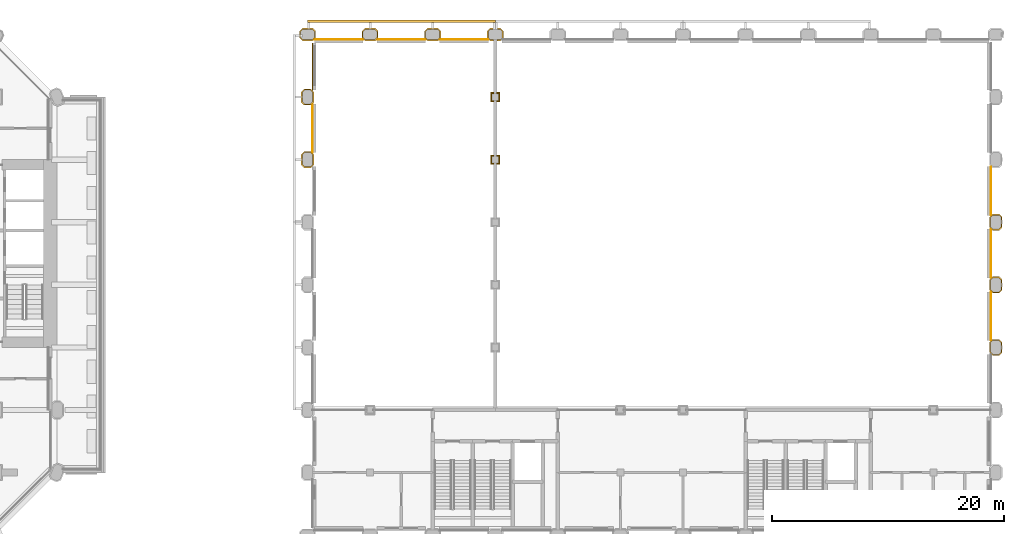
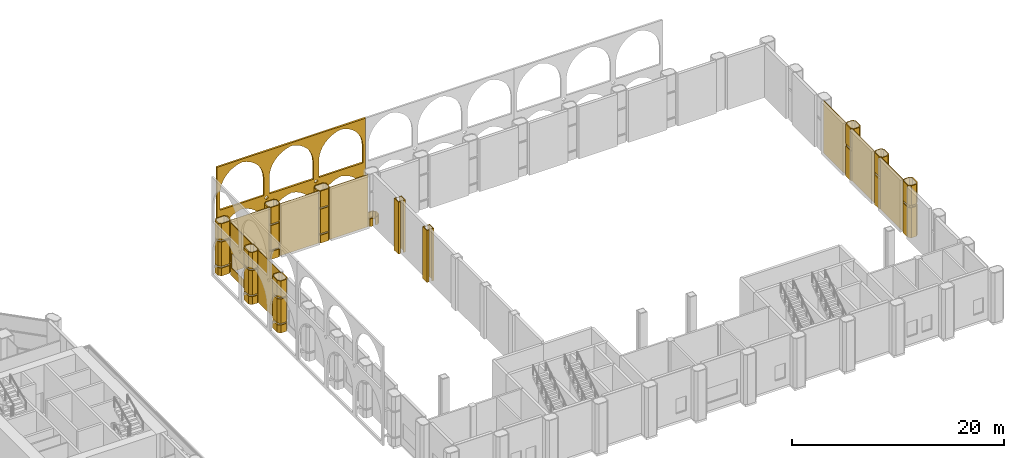
# One storey, part 32 of 34: 35 coverings.
"""IFC4 building model written with IfcOpenShell, lengths in metres."""

import ifcopenshell
import ifcopenshell.guid

model = None  # the IFC model being written
_history = None  # IfcOwnerHistory: only IFC2X3 demands one
_inside = {}  # id of a spatial element -> (the spatial element, [elements in it])
_under = {}  # id of a project, library or spatial element -> (it, [spatial elements below it])
_declared = {}  # id of a project -> (the project, [libraries it declares])
_typed = {}  # id of a type object -> (the type object, [elements of that type])
_made_of = {}  # id of a material, layer set ... -> (it, [elements and type objects made of it])


def new_model(schema):
    """Start an empty IFC model of exactly this schema.

    Asked for "IFC4X3", IfcOpenShell would pick the latest addendum, in which some entities
    have other attributes; the version numbers below select the first issue.
    IFC2X3 requires an IfcOwnerHistory on every rooted entity: one is made here for all.
    """
    global model, _history
    if schema == "IFC4X3":
        model = ifcopenshell.file(schema_version=(4, 3, 0, 0))
    else:
        model = ifcopenshell.file(schema=schema)
    _inside.clear()
    _under.clear()
    _declared.clear()
    _typed.clear()
    _made_of.clear()
    _history = None
    if model.schema == "IFC2X3":
        org = make("IfcOrganization", Name="unknown")
        user = make(
            "IfcPersonAndOrganization",
            ThePerson=make("IfcPerson", FamilyName="unknown"),
            TheOrganization=org,
        )
        app = make(
            "IfcApplication",
            ApplicationDeveloper=org,
            Version="unknown",
            ApplicationFullName="unknown",
            ApplicationIdentifier="unknown",
        )
        _history = make(
            "IfcOwnerHistory",
            OwningUser=user,
            OwningApplication=app,
            ChangeAction="ADDED",
            CreationDate=0,
        )
    return model


def make(cls, **values):
    """One entity of the class cls with the attributes given. An attribute that is None is left unset."""
    return model.create_entity(
        cls, **{name: value for name, value in values.items() if value is not None}
    )


def rooted(cls, **values):
    """An entity with a GlobalId (a new one), such as an element, a storey or a relation."""
    return make(cls, GlobalId=ifcopenshell.guid.new(), OwnerHistory=_history, **values)


def si_unit(unit_type, name, prefix=None):
    """IfcSIUnit, for example si_unit("LENGTHUNIT", "METRE", prefix="MILLI")."""
    return make("IfcSIUnit", UnitType=unit_type, Prefix=prefix, Name=name)


def assignment(units):
    """IfcUnitAssignment: the units of a project."""
    return None if units is None else make("IfcUnitAssignment", Units=units)


def point(xyz):
    """IfcCartesianPoint."""
    return None if xyz is None else make("IfcCartesianPoint", Coordinates=xyz)


def direction(xyz):
    """IfcDirection."""
    return None if xyz is None else make("IfcDirection", DirectionRatios=xyz)


def frame(location, z_axis=None, x_axis=None):
    """IfcAxis2Placement3D, a coordinate frame: its origin and axes. An axis left out is left unset."""
    return make(
        "IfcAxis2Placement3D",
        Location=point(location),
        Axis=direction(z_axis),
        RefDirection=direction(x_axis),
    )


def frame_2d(location, x_axis=None):
    """IfcAxis2Placement2D, a coordinate frame in the plane: its origin and x axis."""
    return make(
        "IfcAxis2Placement2D", Location=point(location), RefDirection=direction(x_axis)
    )


def origin():
    """The frame at (0, 0, 0) with its axes left unset."""
    return frame((0.0, 0.0, 0.0))


def place(relative_to, where):
    """IfcLocalPlacement: puts the frame where relative to a parent placement (None: the world)."""
    return make(
        "IfcLocalPlacement", PlacementRelTo=relative_to, RelativePlacement=where
    )


def context(
    kind, dimensions, precision=None, world=None, true_north=None, identifier=None
):
    """IfcGeometricRepresentationContext, for example the 3D "Model" context."""
    return make(
        "IfcGeometricRepresentationContext",
        ContextIdentifier=identifier,
        ContextType=kind,
        CoordinateSpaceDimension=dimensions,
        Precision=precision,
        WorldCoordinateSystem=world,
        TrueNorth=true_north,
    )


def subcontext(parent, identifier, kind, view, scale=None):
    """IfcGeometricRepresentationSubContext, for example "Body" below "Model"."""
    return make(
        "IfcGeometricRepresentationSubContext",
        ContextIdentifier=identifier,
        ContextType=kind,
        ParentContext=parent,
        TargetScale=scale,
        TargetView=view,
    )


def project(units=None, contexts=None):
    """IfcProject with its units and contexts."""
    return rooted(
        "IfcProject",
        Name="project",
        RepresentationContexts=contexts,
        UnitsInContext=assignment(units),
    )


def spatial(cls, under=None, at=None, **own):
    """A site, building, storey or space (cls), placed at a placement, below another one or the project."""
    s = rooted(cls, ObjectPlacement=at, **own)
    if under is not None:
        _under.setdefault(under.id(), (under, []))[1].append(s)
    return s


def polyline(points):
    """IfcPolyline through the points."""
    return make("IfcPolyline", Points=[point(p) for p in points])


def profile(cls, at=None, kind="AREA", **sizes):
    """A parametric profile (cls). Its sizes go by their IFC names, for example OverallWidth=200.0."""
    return make(cls, ProfileType=kind, Position=at, **sizes)


def rectangle(**sizes):
    """IfcRectangleProfileDef."""
    return profile("IfcRectangleProfileDef", **sizes)


def outline(outer, holes=None, kind="AREA"):
    """IfcArbitraryClosedProfileDef: a profile drawn as a closed curve; with holes, ...WithVoids."""
    if holes is None:
        return make("IfcArbitraryClosedProfileDef", ProfileType=kind, OuterCurve=outer)
    return make(
        "IfcArbitraryProfileDefWithVoids",
        ProfileType=kind,
        OuterCurve=outer,
        InnerCurves=holes,
    )


def extrude(swept, where, along, depth):
    """IfcExtrudedAreaSolid: the profile swept, set in the frame where, extruded along a direction by depth."""
    return make(
        "IfcExtrudedAreaSolid",
        SweptArea=swept,
        Position=where,
        ExtrudedDirection=direction(along),
        Depth=depth,
    )


def shape(context_of_items, identifier, shape_type, items):
    """IfcShapeRepresentation: the items that make up one representation, for example the "Body"."""
    return make(
        "IfcShapeRepresentation",
        ContextOfItems=context_of_items,
        RepresentationIdentifier=identifier,
        RepresentationType=shape_type,
        Items=items,
    )


def material(Name=None, Category=None):
    """IfcMaterial."""
    return make("IfcMaterial", Name=Name, Category=Category)


def layer(
    of_material, thickness, ventilated=None, Name=None, Category=None, Priority=None
):
    """IfcMaterialLayer: one layer of a wall or slab, of a material (None: an air gap)."""
    return make(
        "IfcMaterialLayer",
        Material=of_material,
        LayerThickness=thickness,
        IsVentilated=ventilated,
        Name=Name,
        Category=Category,
        Priority=Priority,
    )


def layer_set(layers, Name=None):
    """IfcMaterialLayerSet."""
    return make("IfcMaterialLayerSet", MaterialLayers=layers, LayerSetName=Name)


def made_of(thing, what):
    """Note that an element or type object is made of a material, layer set ...; save() writes the relation."""
    if what is not None:
        _made_of.setdefault(what.id(), (what, []))[1].append(thing)
    return thing


def type_object(cls, material=None, **own):
    """A type object (cls), such as IfcWallType, which elements share."""
    return made_of(rooted(cls, **own), material)


def element(
    cls,
    number,
    at=None,
    inside=None,
    cuts=None,
    type_object=None,
    material=None,
    context=None,
    identifier="Body",
    shape_type=None,
    held_by="IfcProductDefinitionShape",
    body=None,
    shapes=None,
    **own,
):
    """One element of the class cls, such as IfcWall. Its Tag is "e" and its number.

    at: its placement. inside: the storey or other place that contains it. cuts: it is an
    opening in that element (IfcRelVoidsElement). A single representation is given by context,
    identifier, shape_type and body (its items); several are given by shapes. held_by: the class
    of the entity that holds the representations. save() writes the other relations.
    """
    e = rooted(cls, Tag="e%d" % number, ObjectPlacement=at, **own)
    if body is not None:
        shapes = [shape(context, identifier, shape_type, body)]
    if shapes is not None:
        e.Representation = make(held_by, Representations=shapes)
    if inside is not None:
        _inside.setdefault(inside.id(), (inside, []))[1].append(e)
    if cuts is not None:
        rooted(
            "IfcRelVoidsElement", RelatingBuildingElement=cuts, RelatedOpeningElement=e
        )
    if type_object is not None:
        _typed.setdefault(type_object.id(), (type_object, []))[1].append(e)
    return made_of(e, material)


def aggregate(whole, parts):
    """IfcRelAggregates: a whole, such as a stair, and the parts it consists of."""
    return rooted("IfcRelAggregates", RelatingObject=whole, RelatedObjects=parts)


def save(model, path):
    """Write the relations noted so far, then the file.

    IfcRelAggregates (storeys below a building ...), IfcRelContainedInSpatialStructure (elements
    in a storey), IfcRelDefinesByType, IfcRelAssociatesMaterial and IfcRelDeclares: one each for
    every whole, place, type object, material and project.
    """
    for whole, parts in _under.values():
        aggregate(whole, parts)
    for where, things in _inside.values():
        rooted(
            "IfcRelContainedInSpatialStructure",
            RelatedElements=things,
            RelatingStructure=where,
        )
    for kind, things in _typed.values():
        rooted("IfcRelDefinesByType", RelatedObjects=things, RelatingType=kind)
    for what, things in _made_of.values():
        rooted("IfcRelAssociatesMaterial", RelatedObjects=things, RelatingMaterial=what)
    for by, libraries in _declared.values():
        rooted("IfcRelDeclares", RelatingContext=by, RelatedDefinitions=libraries)
    model.write(path)


model = new_model("IFC4")

# Units and contexts
model_context = context("Model", 3, precision=1e-05, world=origin(), true_north=direction((0.0, 1.0)))
body_context = subcontext(model_context, "Body", "Model", "MODEL_VIEW")
ifc_project = project(units=[si_unit("LENGTHUNIT", "METRE"), si_unit("AREAUNIT", "SQUARE_METRE"), si_unit("VOLUMEUNIT", "CUBIC_METRE"), si_unit("PLANEANGLEUNIT", "RADIAN"), si_unit("MASSUNIT", "GRAM", prefix="KILO")], contexts=[model_context])

# Site, building, storey
site_placement = place(None, origin())
site = spatial("IfcSite", under=ifc_project, at=site_placement, CompositionType="ELEMENT")
building_placement = place(site_placement, origin())
building = spatial("IfcBuilding", under=site, at=building_placement, Name="Tabaq Tower and Sports Hall", CompositionType="ELEMENT")
storey_placement = place(building_placement, frame((0.0, 0.0, 8.39990234375)))
storey = spatial("IfcBuildingStorey", under=building, at=storey_placement, Name="L01", CompositionType="ELEMENT", Elevation=8.39990234375)

# Coverings
ifc_material_1 = material(Name="Precast concrete C60/75", Category="concrete")
ifc_layer_1 = layer(ifc_material_1, 0.10009765625)
ifc_layer_set_1 = layer_set([ifc_layer_1], Name="Column cladding 100")
covering_type_1 = type_object("IfcCoveringType", Name="Column cladding 100", PredefinedType="CLADDING", material=ifc_layer_set_1)
covering_1_placement = place(storey_placement, origin())
element("IfcCovering", 1, at=covering_1_placement, inside=storey, type_object=covering_type_1, Name="Column cladding L01 HC-13G", PredefinedType="CLADDING", context=body_context, shape_type="SweptSolid", body=[
    extrude(outline(polyline([(65.09130859375, 31.7001953125), (64.5087890625, 31.7001953125), (64.250244140625, 31.958740234375), (64.250244140625, 32.84130859375), (64.5087890625, 33.099609375), (65.09130859375, 33.099609375), (65.349609375, 32.84130859375), (65.349609375, 31.958740234375), (65.09130859375, 31.7001953125)]), holes=[polyline([(65.250244140625, 32.800048828125), (65.050048828125, 33.000244140625), (64.5498046875, 33.000244140625), (64.349609375, 32.800048828125), (64.349609375, 31.999755859375), (64.5498046875, 31.7998046875), (65.050048828125, 31.7998046875), (65.250244140625, 31.999755859375), (65.250244140625, 32.800048828125)])]), origin(), (0.0, 0.0, 1.0), 0.900146484375),
])
covering_2_placement = place(storey_placement, frame((0.0, 0.0, 1.10009765625)))
element("IfcCovering", 2, at=covering_2_placement, inside=storey, type_object=covering_type_1, Name="Column cladding L01 HC-13G 2", PredefinedType="CLADDING", context=body_context, shape_type="SweptSolid", body=[
    extrude(outline(polyline([(65.09130859375, 31.7001953125), (64.5087890625, 31.7001953125), (64.250244140625, 31.958740234375), (64.250244140625, 32.84130859375), (64.5087890625, 33.099609375), (65.09130859375, 33.099609375), (65.349609375, 32.84130859375), (65.349609375, 31.958740234375), (65.09130859375, 31.7001953125)]), holes=[polyline([(65.250244140625, 32.800048828125), (65.050048828125, 33.000244140625), (64.5498046875, 33.000244140625), (64.349609375, 32.800048828125), (64.349609375, 31.999755859375), (64.5498046875, 31.7998046875), (65.050048828125, 31.7998046875), (65.250244140625, 31.999755859375), (65.250244140625, 32.800048828125)])]), origin(), (0.0, 0.0, 1.0), 2.800048828125),
])
covering_3_placement = place(storey_placement, frame((0.0, 0.0, 4.10009765625)))
element("IfcCovering", 3, at=covering_3_placement, inside=storey, type_object=covering_type_1, Name="Column cladding L01 HC-13G 3", PredefinedType="CLADDING", context=body_context, shape_type="SweptSolid", body=[
    extrude(outline(polyline([(65.09130859375, 31.7001953125), (64.5087890625, 31.7001953125), (64.250244140625, 31.958740234375), (64.250244140625, 32.84130859375), (64.5087890625, 33.099609375), (65.09130859375, 33.099609375), (65.349609375, 32.84130859375), (65.349609375, 31.958740234375), (65.09130859375, 31.7001953125)]), holes=[polyline([(65.250244140625, 32.800048828125), (65.050048828125, 33.000244140625), (64.5498046875, 33.000244140625), (64.349609375, 32.800048828125), (64.349609375, 31.999755859375), (64.5498046875, 31.7998046875), (65.050048828125, 31.7998046875), (65.250244140625, 31.999755859375), (65.250244140625, 32.800048828125)])]), origin(), (0.0, 0.0, 1.0), 1.89990234375),
])
covering_4_placement = place(storey_placement, origin())
element("IfcCovering", 4, at=covering_4_placement, inside=storey, type_object=covering_type_1, Name="Column cladding L01 HC-13H", PredefinedType="CLADDING", context=body_context, shape_type="SweptSolid", body=[
    extrude(outline(polyline([(65.09130859375, 37.100341796875), (64.5087890625, 37.100341796875), (64.250244140625, 37.358642578125), (64.250244140625, 38.2412109375), (64.5087890625, 38.499755859375), (65.09130859375, 38.499755859375), (65.349609375, 38.2412109375), (65.349609375, 37.358642578125), (65.09130859375, 37.100341796875)]), holes=[polyline([(65.250244140625, 38.2001953125), (65.050048828125, 38.400390625), (64.5498046875, 38.400390625), (64.349609375, 38.2001953125), (64.349609375, 37.39990234375), (64.5498046875, 37.19970703125), (65.050048828125, 37.19970703125), (65.250244140625, 37.39990234375), (65.250244140625, 38.2001953125)])]), origin(), (0.0, 0.0, 1.0), 0.900146484375),
])
covering_5_placement = place(storey_placement, frame((0.0, 0.0, 1.10009765625)))
element("IfcCovering", 5, at=covering_5_placement, inside=storey, type_object=covering_type_1, Name="Column cladding L01 HC-13H 2", PredefinedType="CLADDING", context=body_context, shape_type="SweptSolid", body=[
    extrude(outline(polyline([(65.09130859375, 37.100341796875), (64.5087890625, 37.100341796875), (64.250244140625, 37.358642578125), (64.250244140625, 38.2412109375), (64.5087890625, 38.499755859375), (65.09130859375, 38.499755859375), (65.349609375, 38.2412109375), (65.349609375, 37.358642578125), (65.09130859375, 37.100341796875)]), holes=[polyline([(65.250244140625, 38.2001953125), (65.050048828125, 38.400390625), (64.5498046875, 38.400390625), (64.349609375, 38.2001953125), (64.349609375, 37.39990234375), (64.5498046875, 37.19970703125), (65.050048828125, 37.19970703125), (65.250244140625, 37.39990234375), (65.250244140625, 38.2001953125)])]), origin(), (0.0, 0.0, 1.0), 2.800048828125),
])
covering_6_placement = place(storey_placement, frame((0.0, 0.0, 4.10009765625)))
element("IfcCovering", 6, at=covering_6_placement, inside=storey, type_object=covering_type_1, Name="Column cladding L01 HC-13H 3", PredefinedType="CLADDING", context=body_context, shape_type="SweptSolid", body=[
    extrude(outline(polyline([(65.09130859375, 37.100341796875), (64.5087890625, 37.100341796875), (64.250244140625, 37.358642578125), (64.250244140625, 38.2412109375), (64.5087890625, 38.499755859375), (65.09130859375, 38.499755859375), (65.349609375, 38.2412109375), (65.349609375, 37.358642578125), (65.09130859375, 37.100341796875)]), holes=[polyline([(65.250244140625, 38.2001953125), (65.050048828125, 38.400390625), (64.5498046875, 38.400390625), (64.349609375, 38.2001953125), (64.349609375, 37.39990234375), (64.5498046875, 37.19970703125), (65.050048828125, 37.19970703125), (65.250244140625, 37.39990234375), (65.250244140625, 38.2001953125)])]), origin(), (0.0, 0.0, 1.0), 1.89990234375),
])
covering_7_placement = place(storey_placement, origin())
element("IfcCovering", 7, at=covering_7_placement, inside=storey, type_object=covering_type_1, Name="Column cladding L01 HC-13I", PredefinedType="CLADDING", context=body_context, shape_type="SweptSolid", body=[
    extrude(outline(polyline([(64.100341796875, 42.90869140625), (64.100341796875, 43.4912109375), (64.358642578125, 43.749755859375), (65.2412109375, 43.749755859375), (65.499755859375, 43.4912109375), (65.499755859375, 42.90869140625), (65.2412109375, 42.650390625), (64.358642578125, 42.650390625), (64.100341796875, 42.90869140625)]), holes=[polyline([(65.2001953125, 42.749755859375), (65.400390625, 42.949951171875), (65.400390625, 43.4501953125), (65.2001953125, 43.650390625), (64.39990234375, 43.650390625), (64.19970703125, 43.4501953125), (64.19970703125, 42.949951171875), (64.39990234375, 42.749755859375), (65.2001953125, 42.749755859375)])]), origin(), (0.0, 0.0, 1.0), 0.900146484375),
])
covering_8_placement = place(storey_placement, frame((0.0, 0.0, 1.10009765625)))
element("IfcCovering", 8, at=covering_8_placement, inside=storey, type_object=covering_type_1, Name="Column cladding L01 HC-13I 2", PredefinedType="CLADDING", context=body_context, shape_type="SweptSolid", body=[
    extrude(outline(polyline([(64.100341796875, 42.90869140625), (64.100341796875, 43.4912109375), (64.358642578125, 43.749755859375), (65.2412109375, 43.749755859375), (65.499755859375, 43.4912109375), (65.499755859375, 42.90869140625), (65.2412109375, 42.650390625), (64.358642578125, 42.650390625), (64.100341796875, 42.90869140625)]), holes=[polyline([(65.2001953125, 42.749755859375), (65.400390625, 42.949951171875), (65.400390625, 43.4501953125), (65.2001953125, 43.650390625), (64.39990234375, 43.650390625), (64.19970703125, 43.4501953125), (64.19970703125, 42.949951171875), (64.39990234375, 42.749755859375), (65.2001953125, 42.749755859375)])]), origin(), (0.0, 0.0, 1.0), 2.800048828125),
])
covering_9_placement = place(storey_placement, frame((0.0, 0.0, 4.10009765625)))
element("IfcCovering", 9, at=covering_9_placement, inside=storey, type_object=covering_type_1, Name="Column cladding L01 HC-13I 3", PredefinedType="CLADDING", context=body_context, shape_type="SweptSolid", body=[
    extrude(outline(polyline([(64.100341796875, 42.90869140625), (64.100341796875, 43.4912109375), (64.358642578125, 43.749755859375), (65.2412109375, 43.749755859375), (65.499755859375, 43.4912109375), (65.499755859375, 42.90869140625), (65.2412109375, 42.650390625), (64.358642578125, 42.650390625), (64.100341796875, 42.90869140625)]), holes=[polyline([(65.2001953125, 42.749755859375), (65.400390625, 42.949951171875), (65.400390625, 43.4501953125), (65.2001953125, 43.650390625), (64.39990234375, 43.650390625), (64.19970703125, 43.4501953125), (64.19970703125, 42.949951171875), (64.39990234375, 42.749755859375), (65.2001953125, 42.749755859375)])]), origin(), (0.0, 0.0, 1.0), 1.89990234375),
])
covering_10_placement = place(storey_placement, origin())
element("IfcCovering", 10, at=covering_10_placement, inside=storey, type_object=covering_type_1, Name="Column cladding L01 HC-14I", PredefinedType="CLADDING", context=body_context, shape_type="SweptSolid", body=[
    extrude(outline(polyline([(69.500244140625, 42.90869140625), (69.500244140625, 43.4912109375), (69.7587890625, 43.749755859375), (70.641357421875, 43.749755859375), (70.899658203125, 43.4912109375), (70.899658203125, 42.90869140625), (70.641357421875, 42.650390625), (69.7587890625, 42.650390625), (69.500244140625, 42.90869140625)]), holes=[polyline([(70.60009765625, 42.749755859375), (70.80029296875, 42.949951171875), (70.80029296875, 43.4501953125), (70.60009765625, 43.650390625), (69.7998046875, 43.650390625), (69.599609375, 43.4501953125), (69.599609375, 42.949951171875), (69.7998046875, 42.749755859375), (70.60009765625, 42.749755859375)])]), origin(), (0.0, 0.0, 1.0), 0.900146484375),
])
covering_11_placement = place(storey_placement, frame((0.0, 0.0, 1.10009765625)))
element("IfcCovering", 11, at=covering_11_placement, inside=storey, type_object=covering_type_1, Name="Column cladding L01 HC-14I 2", PredefinedType="CLADDING", context=body_context, shape_type="SweptSolid", body=[
    extrude(outline(polyline([(69.500244140625, 42.90869140625), (69.500244140625, 43.4912109375), (69.7587890625, 43.749755859375), (70.641357421875, 43.749755859375), (70.899658203125, 43.4912109375), (70.899658203125, 42.90869140625), (70.641357421875, 42.650390625), (69.7587890625, 42.650390625), (69.500244140625, 42.90869140625)]), holes=[polyline([(70.60009765625, 42.749755859375), (70.80029296875, 42.949951171875), (70.80029296875, 43.4501953125), (70.60009765625, 43.650390625), (69.7998046875, 43.650390625), (69.599609375, 43.4501953125), (69.599609375, 42.949951171875), (69.7998046875, 42.749755859375), (70.60009765625, 42.749755859375)])]), origin(), (0.0, 0.0, 1.0), 2.800048828125),
])
covering_12_placement = place(storey_placement, frame((0.0, 0.0, 4.10009765625)))
element("IfcCovering", 12, at=covering_12_placement, inside=storey, type_object=covering_type_1, Name="Column cladding L01 HC-14I 3", PredefinedType="CLADDING", context=body_context, shape_type="SweptSolid", body=[
    extrude(outline(polyline([(69.500244140625, 42.90869140625), (69.500244140625, 43.4912109375), (69.7587890625, 43.749755859375), (70.641357421875, 43.749755859375), (70.899658203125, 43.4912109375), (70.899658203125, 42.90869140625), (70.641357421875, 42.650390625), (69.7587890625, 42.650390625), (69.500244140625, 42.90869140625)]), holes=[polyline([(70.60009765625, 42.749755859375), (70.80029296875, 42.949951171875), (70.80029296875, 43.4501953125), (70.60009765625, 43.650390625), (69.7998046875, 43.650390625), (69.599609375, 43.4501953125), (69.599609375, 42.949951171875), (69.7998046875, 42.749755859375), (70.60009765625, 42.749755859375)])]), origin(), (0.0, 0.0, 1.0), 1.89990234375),
])
covering_13_placement = place(storey_placement, origin())
element("IfcCovering", 13, at=covering_13_placement, inside=storey, type_object=covering_type_1, Name="Column cladding L01 HC-15I", PredefinedType="CLADDING", context=body_context, shape_type="SweptSolid", body=[
    extrude(outline(polyline([(74.900390625, 42.90869140625), (74.900390625, 43.4912109375), (75.15869140625, 43.749755859375), (76.041259765625, 43.749755859375), (76.2998046875, 43.4912109375), (76.2998046875, 42.90869140625), (76.041259765625, 42.650390625), (75.15869140625, 42.650390625), (74.900390625, 42.90869140625)]), holes=[polyline([(76.000244140625, 42.749755859375), (76.2001953125, 42.949951171875), (76.2001953125, 43.4501953125), (76.000244140625, 43.650390625), (75.199951171875, 43.650390625), (74.999755859375, 43.4501953125), (74.999755859375, 42.949951171875), (75.199951171875, 42.749755859375), (76.000244140625, 42.749755859375)])]), origin(), (0.0, 0.0, 1.0), 0.900146484375),
])
covering_14_placement = place(storey_placement, frame((0.0, 0.0, 1.10009765625)))
element("IfcCovering", 14, at=covering_14_placement, inside=storey, type_object=covering_type_1, Name="Column cladding L01 HC-15I 2", PredefinedType="CLADDING", context=body_context, shape_type="SweptSolid", body=[
    extrude(outline(polyline([(74.900390625, 42.90869140625), (74.900390625, 43.4912109375), (75.15869140625, 43.749755859375), (76.041259765625, 43.749755859375), (76.2998046875, 43.4912109375), (76.2998046875, 42.90869140625), (76.041259765625, 42.650390625), (75.15869140625, 42.650390625), (74.900390625, 42.90869140625)]), holes=[polyline([(76.000244140625, 42.749755859375), (76.2001953125, 42.949951171875), (76.2001953125, 43.4501953125), (76.000244140625, 43.650390625), (75.199951171875, 43.650390625), (74.999755859375, 43.4501953125), (74.999755859375, 42.949951171875), (75.199951171875, 42.749755859375), (76.000244140625, 42.749755859375)])]), origin(), (0.0, 0.0, 1.0), 2.800048828125),
])
covering_15_placement = place(storey_placement, frame((0.0, 0.0, 4.10009765625)))
element("IfcCovering", 15, at=covering_15_placement, inside=storey, type_object=covering_type_1, Name="Column cladding L01 HC-15I 3", PredefinedType="CLADDING", context=body_context, shape_type="SweptSolid", body=[
    extrude(outline(polyline([(74.900390625, 42.90869140625), (74.900390625, 43.4912109375), (75.15869140625, 43.749755859375), (76.041259765625, 43.749755859375), (76.2998046875, 43.4912109375), (76.2998046875, 42.90869140625), (76.041259765625, 42.650390625), (75.15869140625, 42.650390625), (74.900390625, 42.90869140625)]), holes=[polyline([(76.000244140625, 42.749755859375), (76.2001953125, 42.949951171875), (76.2001953125, 43.4501953125), (76.000244140625, 43.650390625), (75.199951171875, 43.650390625), (74.999755859375, 43.4501953125), (74.999755859375, 42.949951171875), (75.199951171875, 42.749755859375), (76.000244140625, 42.749755859375)])]), origin(), (0.0, 0.0, 1.0), 1.89990234375),
])
covering_16_placement = place(storey_placement, origin())
element("IfcCovering", 16, at=covering_16_placement, inside=storey, type_object=covering_type_1, Name="Column cladding L01 HC-16G", PredefinedType="CLADDING", context=body_context, shape_type="SweptSolid", body=[
    extrude(outline(polyline([(80.849609375, 32.7998046875), (80.849609375, 32.7001953125), (80.69970703125, 32.7001953125), (80.69970703125, 32.099609375), (80.849609375, 32.099609375), (80.849609375, 32.000244140625), (80.600341796875, 32.000244140625), (80.600341796875, 32.7998046875), (80.849609375, 32.7998046875)])), origin(), (0.0, 0.0, 1.0), 6.0),
])
covering_17_placement = place(storey_placement, origin())
element("IfcCovering", 17, at=covering_17_placement, inside=storey, type_object=covering_type_1, Name="Column cladding L01 HC-16G 2", PredefinedType="CLADDING", context=body_context, shape_type="SweptSolid", body=[
    extrude(outline(polyline([(81.399658203125, 32.7998046875), (81.399658203125, 32.000244140625), (81.150390625, 32.000244140625), (81.150390625, 32.099609375), (81.30029296875, 32.099609375), (81.30029296875, 32.7001953125), (81.150390625, 32.7001953125), (81.150390625, 32.7998046875), (81.399658203125, 32.7998046875)])), origin(), (0.0, 0.0, 1.0), 6.0),
])
covering_18_placement = place(storey_placement, origin())
element("IfcCovering", 18, at=covering_18_placement, inside=storey, type_object=covering_type_1, Name="Column cladding L01 HC-16H", PredefinedType="CLADDING", context=body_context, shape_type="SweptSolid", body=[
    extrude(outline(polyline([(80.849609375, 38.19970703125), (80.849609375, 38.100341796875), (80.69970703125, 38.100341796875), (80.69970703125, 37.499755859375), (80.849609375, 37.499755859375), (80.849609375, 37.400390625), (80.600341796875, 37.400390625), (80.600341796875, 38.19970703125), (80.849609375, 38.19970703125)])), origin(), (0.0, 0.0, 1.0), 6.0),
])
covering_19_placement = place(storey_placement, origin())
element("IfcCovering", 19, at=covering_19_placement, inside=storey, type_object=covering_type_1, Name="Column cladding L01 HC-16H 2", PredefinedType="CLADDING", context=body_context, shape_type="SweptSolid", body=[
    extrude(outline(polyline([(81.399658203125, 38.19970703125), (81.399658203125, 37.400390625), (81.150390625, 37.400390625), (81.150390625, 37.499755859375), (81.30029296875, 37.499755859375), (81.30029296875, 38.100341796875), (81.150390625, 38.100341796875), (81.150390625, 38.19970703125), (81.399658203125, 38.19970703125)])), origin(), (0.0, 0.0, 1.0), 6.0),
])
covering_20_placement = place(storey_placement, origin())
element("IfcCovering", 20, at=covering_20_placement, inside=storey, type_object=covering_type_1, Name="Column cladding L01 HC-16I", PredefinedType="CLADDING", context=body_context, shape_type="SweptSolid", body=[
    extrude(outline(polyline([(80.30029296875, 43.4912109375), (80.55859375, 43.749755859375), (81.44140625, 43.749755859375), (81.69970703125, 43.4912109375), (81.69970703125, 42.90869140625), (81.44140625, 42.650390625), (81.150390625, 42.650390625), (81.150390625, 42.749755859375), (81.400146484375, 42.749755859375), (81.600341796875, 42.949951171875), (81.600341796875, 43.4501953125), (81.400146484375, 43.650390625), (80.599853515625, 43.650390625), (80.399658203125, 43.4501953125), (80.399658203125, 42.949951171875), (80.599853515625, 42.749755859375), (80.849609375, 42.749755859375), (80.849609375, 42.650390625), (80.55859375, 42.650390625), (80.30029296875, 42.90869140625), (80.30029296875, 43.4912109375)])), origin(), (0.0, 0.0, 1.0), 0.900146484375),
])
covering_21_placement = place(storey_placement, origin())
element("IfcCovering", 21, at=covering_21_placement, inside=storey, type_object=covering_type_1, Name="Column cladding L01 HC-24D", PredefinedType="CLADDING", context=body_context, shape_type="SweptSolid", body=[
    extrude(outline(polyline([(123.90869140625, 15.500244140625), (123.650390625, 15.7587890625), (123.650390625, 16.641357421875), (123.90869140625, 16.899658203125), (124.4912109375, 16.899658203125), (124.73974609375, 16.6513671875), (124.73974609375, 15.748779296875), (124.4912109375, 15.500244140625), (123.90869140625, 15.500244140625)]), holes=[polyline([(124.4501953125, 16.80029296875), (123.949951171875, 16.80029296875), (123.749755859375, 16.60009765625), (123.749755859375, 15.7998046875), (123.949951171875, 15.599609375), (124.4501953125, 15.599609375), (124.650390625, 15.7998046875), (124.650390625, 16.60009765625), (124.4501953125, 16.80029296875)])]), origin(), (0.0, 0.0, 1.0), 3.4501953125),
])
covering_22_placement = place(storey_placement, frame((0.0, 0.0, 3.75)))
element("IfcCovering", 22, at=covering_22_placement, inside=storey, type_object=covering_type_1, Name="Column cladding L01 HC-24D 2", PredefinedType="CLADDING", context=body_context, shape_type="SweptSolid", body=[
    extrude(outline(polyline([(123.90869140625, 15.500244140625), (123.650390625, 15.7587890625), (123.650390625, 16.641357421875), (123.90869140625, 16.899658203125), (124.4912109375, 16.899658203125), (124.73974609375, 16.6513671875), (124.73974609375, 15.748779296875), (124.4912109375, 15.500244140625), (123.90869140625, 15.500244140625)]), holes=[polyline([(124.4501953125, 16.80029296875), (123.949951171875, 16.80029296875), (123.749755859375, 16.60009765625), (123.749755859375, 15.7998046875), (123.949951171875, 15.599609375), (124.4501953125, 15.599609375), (124.650390625, 15.7998046875), (124.650390625, 16.60009765625), (124.4501953125, 16.80029296875)])]), origin(), (0.0, 0.0, 1.0), 2.25),
])
covering_23_placement = place(storey_placement, origin())
element("IfcCovering", 23, at=covering_23_placement, inside=storey, type_object=covering_type_1, Name="Column cladding L01 HC-24E", PredefinedType="CLADDING", context=body_context, shape_type="SweptSolid", body=[
    extrude(outline(polyline([(123.90869140625, 20.900390625), (123.650390625, 21.15869140625), (123.650390625, 22.041259765625), (123.90869140625, 22.2998046875), (124.4912109375, 22.2998046875), (124.73974609375, 22.05126953125), (124.73974609375, 21.61962890625), (124.749755859375, 21.61962890625), (124.749755859375, 21.580322265625), (124.73974609375, 21.580322265625), (124.73974609375, 21.148681640625), (124.4912109375, 20.900390625), (123.90869140625, 20.900390625)]), holes=[polyline([(124.4501953125, 22.2001953125), (123.949951171875, 22.2001953125), (123.749755859375, 22.000244140625), (123.749755859375, 21.199951171875), (123.949951171875, 20.999755859375), (124.4501953125, 20.999755859375), (124.650390625, 21.199951171875), (124.650390625, 22.000244140625), (124.4501953125, 22.2001953125)])]), origin(), (0.0, 0.0, 1.0), 3.4501953125),
])
covering_24_placement = place(storey_placement, frame((0.0, 0.0, 3.75)))
element("IfcCovering", 24, at=covering_24_placement, inside=storey, type_object=covering_type_1, Name="Column cladding L01 HC-24E 2", PredefinedType="CLADDING", context=body_context, shape_type="SweptSolid", body=[
    extrude(outline(polyline([(123.90869140625, 20.900390625), (123.650390625, 21.15869140625), (123.650390625, 22.041259765625), (123.90869140625, 22.2998046875), (124.4912109375, 22.2998046875), (124.73974609375, 22.05126953125), (124.73974609375, 21.61962890625), (124.749755859375, 21.61962890625), (124.749755859375, 21.580322265625), (124.73974609375, 21.580322265625), (124.73974609375, 21.148681640625), (124.4912109375, 20.900390625), (123.90869140625, 20.900390625)]), holes=[polyline([(124.4501953125, 22.2001953125), (123.949951171875, 22.2001953125), (123.749755859375, 22.000244140625), (123.749755859375, 21.199951171875), (123.949951171875, 20.999755859375), (124.4501953125, 20.999755859375), (124.650390625, 21.199951171875), (124.650390625, 22.000244140625), (124.4501953125, 22.2001953125)])]), origin(), (0.0, 0.0, 1.0), 2.25),
])
covering_25_placement = place(storey_placement, origin())
element("IfcCovering", 25, at=covering_25_placement, inside=storey, type_object=covering_type_1, Name="Column cladding L01 HC-24F", PredefinedType="CLADDING", context=body_context, shape_type="SweptSolid", body=[
    extrude(outline(polyline([(123.90869140625, 26.30029296875), (123.650390625, 26.55859375), (123.650390625, 27.44140625), (123.90869140625, 27.69970703125), (124.4912109375, 27.69970703125), (124.73974609375, 27.451416015625), (124.73974609375, 26.548583984375), (124.4912109375, 26.30029296875), (123.90869140625, 26.30029296875)]), holes=[polyline([(124.4501953125, 27.600341796875), (123.949951171875, 27.600341796875), (123.749755859375, 27.400146484375), (123.749755859375, 26.599853515625), (123.949951171875, 26.399658203125), (124.4501953125, 26.399658203125), (124.650390625, 26.599853515625), (124.650390625, 27.400146484375), (124.4501953125, 27.600341796875)])]), origin(), (0.0, 0.0, 1.0), 3.4501953125),
])
covering_26_placement = place(storey_placement, frame((0.0, 0.0, 3.75)))
element("IfcCovering", 26, at=covering_26_placement, inside=storey, type_object=covering_type_1, Name="Column cladding L01 HC-24F 2", PredefinedType="CLADDING", context=body_context, shape_type="SweptSolid", body=[
    extrude(outline(polyline([(123.90869140625, 26.30029296875), (123.650390625, 26.55859375), (123.650390625, 27.44140625), (123.90869140625, 27.69970703125), (124.4912109375, 27.69970703125), (124.73974609375, 27.451416015625), (124.73974609375, 26.548583984375), (124.4912109375, 26.30029296875), (123.90869140625, 26.30029296875)]), holes=[polyline([(124.4501953125, 27.600341796875), (123.949951171875, 27.600341796875), (123.749755859375, 27.400146484375), (123.749755859375, 26.599853515625), (123.949951171875, 26.399658203125), (124.4501953125, 26.399658203125), (124.650390625, 26.599853515625), (124.650390625, 27.400146484375), (124.4501953125, 27.600341796875)])]), origin(), (0.0, 0.0, 1.0), 2.25),
])
ifc_material_2 = material(Name="White precast concrete C60/75 pierced screen", Category="concrete")
ifc_layer_2 = layer(ifc_material_2, 0.199951171875)
ifc_layer_set_2 = layer_set([ifc_layer_2], Name="TRACERY SCREEN 200 C60/75")
covering_type_2 = type_object("IfcCoveringType", Name="TRACERY SCREEN 200 C60/75", PredefinedType="CLADDING", material=ifc_layer_set_2)
covering_27_placement = place(storey_placement, frame((64.800048828125, 44.35009765625, 0.0), z_axis=(0.0, 0.0, 1.0), x_axis=(1.0, 0.0, 0.0)))
element("IfcCovering", 27, at=covering_27_placement, inside=storey, type_object=covering_type_2, Name="Tracery screen hall N 1", PredefinedType="CLADDING", context=body_context, shape_type="SweptSolid", body=[
    extrude(outline(polyline([(0.0, 0.0), (16.199951171875, 0.0), (16.199951171875, 11.400146484375), (0.0, 11.400146484375), (0.0, 0.0)]), holes=[polyline([(0.300048828125, 0.35009765625), (5.10009765625, 0.35009765625), (5.10009765625, 2.89013671875), (5.055419921875, 3.38623046875), (4.92333984375, 3.8662109375), (4.7080078125, 4.3154296875), (4.416015625, 4.71875), (4.05712890625, 5.06396484375), (3.642333984375, 5.339599609375), (3.18505859375, 5.537109375), (2.699951171875, 5.650146484375), (2.21484375, 5.537109375), (1.7578125, 5.339599609375), (1.343017578125, 5.06396484375), (0.98388671875, 4.71875), (0.69189453125, 4.3154296875), (0.4765625, 3.8662109375), (0.344482421875, 3.38623046875), (0.300048828125, 2.89013671875), (0.300048828125, 0.35009765625)]), polyline([(5.699951171875, 0.35009765625), (10.5, 0.35009765625), (10.5, 2.89013671875), (10.45556640625, 3.38623046875), (10.323486328125, 3.8662109375), (10.10791015625, 4.3154296875), (9.816162109375, 4.71875), (9.45703125, 5.06396484375), (9.042236328125, 5.339599609375), (8.5849609375, 5.537109375), (8.10009765625, 5.650146484375), (7.614990234375, 5.537109375), (7.15771484375, 5.339599609375), (6.742919921875, 5.06396484375), (6.384033203125, 4.71875), (6.092041015625, 4.3154296875), (5.87646484375, 3.8662109375), (5.744384765625, 3.38623046875), (5.699951171875, 2.89013671875), (5.699951171875, 0.35009765625)]), polyline([(11.10009765625, 0.35009765625), (15.89990234375, 0.35009765625), (15.89990234375, 2.89013671875), (15.85546875, 3.38623046875), (15.723388671875, 3.8662109375), (15.508056640625, 4.3154296875), (15.216064453125, 4.71875), (14.85693359375, 5.06396484375), (14.442138671875, 5.339599609375), (13.985107421875, 5.537109375), (13.5, 5.650146484375), (13.014892578125, 5.537109375), (12.557861328125, 5.339599609375), (12.14306640625, 5.06396484375), (11.783935546875, 4.71875), (11.491943359375, 4.3154296875), (11.276611328125, 3.8662109375), (11.14453125, 3.38623046875), (11.10009765625, 2.89013671875), (11.10009765625, 0.35009765625)]), polyline([(0.300048828125, 6.35009765625), (5.10009765625, 6.35009765625), (5.10009765625, 8.2900390625), (5.055419921875, 8.7861328125), (4.92333984375, 9.266357421875), (4.7080078125, 9.71533203125), (4.416015625, 10.118896484375), (4.05712890625, 10.4638671875), (3.642333984375, 10.73974609375), (3.18505859375, 10.937255859375), (2.699951171875, 11.050048828125), (2.21484375, 10.937255859375), (1.7578125, 10.73974609375), (1.343017578125, 10.4638671875), (0.98388671875, 10.118896484375), (0.69189453125, 9.71533203125), (0.4765625, 9.266357421875), (0.344482421875, 8.7861328125), (0.300048828125, 8.2900390625), (0.300048828125, 6.35009765625)]), polyline([(5.699951171875, 6.35009765625), (10.5, 6.35009765625), (10.5, 8.2900390625), (10.45556640625, 8.7861328125), (10.323486328125, 9.266357421875), (10.10791015625, 9.71533203125), (9.816162109375, 10.118896484375), (9.45703125, 10.4638671875), (9.042236328125, 10.73974609375), (8.5849609375, 10.937255859375), (8.10009765625, 11.050048828125), (7.614990234375, 10.937255859375), (7.15771484375, 10.73974609375), (6.742919921875, 10.4638671875), (6.384033203125, 10.118896484375), (6.092041015625, 9.71533203125), (5.87646484375, 9.266357421875), (5.744384765625, 8.7861328125), (5.699951171875, 8.2900390625), (5.699951171875, 6.35009765625)]), polyline([(11.10009765625, 6.35009765625), (15.89990234375, 6.35009765625), (15.89990234375, 8.2900390625), (15.85546875, 8.7861328125), (15.723388671875, 9.266357421875), (15.508056640625, 9.71533203125), (15.216064453125, 10.118896484375), (14.85693359375, 10.4638671875), (14.442138671875, 10.73974609375), (13.985107421875, 10.937255859375), (13.5, 11.050048828125), (13.014892578125, 10.937255859375), (12.557861328125, 10.73974609375), (12.14306640625, 10.4638671875), (11.783935546875, 10.118896484375), (11.491943359375, 9.71533203125), (11.276611328125, 9.266357421875), (11.14453125, 8.7861328125), (11.10009765625, 8.2900390625), (11.10009765625, 6.35009765625)]), polyline([(5.6201171875, 6.0), (5.39990234375, 6.22021484375), (5.179931640625, 6.0), (5.39990234375, 5.780029296875), (5.6201171875, 6.0)]), polyline([(11.02001953125, 6.0), (10.800048828125, 6.22021484375), (10.580078125, 6.0), (10.800048828125, 5.780029296875), (11.02001953125, 6.0)])]), frame((0.0, 0.10009765625, 0.0), z_axis=(0.0, -1.0, 0.0), x_axis=(1.0, 0.0, 0.0)), (0.0, 0.0, 1.0), 0.199951171875),
])
ifc_material_3 = material(Name="Precast concrete C60/75", Category="concrete")
ifc_layer_3 = layer(ifc_material_3, 0.06005859375)
ifc_layer_set_3 = layer_set([ifc_layer_3], Name="White precast cladding panel 60 C60/75")
covering_type_3 = type_object("IfcCoveringType", Name="White precast cladding panel 60 C60/75", PredefinedType="CLADDING", material=ifc_layer_set_3)
for number, where, z_axis, x_axis, name in (
    (28, (123.780029296875, 16.800048828125, 0.0), (0.0, 0.0, 1.0), (0.0, 1.0, 0.0), "White precast cladding panel L01 L01"),
    (29, (123.780029296875, 22.199951171875, 0.0), (0.0, 0.0, 1.0), (0.0, 1.0, 0.0), "White precast cladding panel L01 L01"),
    (30, (123.780029296875, 27.60009765625, 0.0), (0.0, 0.0, 1.0), (0.0, 1.0, 0.0), "White precast cladding panel L01 L01"),
):
    element("IfcCovering", number, at=place(storey_placement, frame(where, z_axis=z_axis, x_axis=x_axis)), inside=storey, type_object=covering_type_3, Name=name, PredefinedType="CLADDING", context=body_context, shape_type="SweptSolid", body=[
        extrude(rectangle(XDim=4.199951171875, YDim=0.06005859375, at=frame_2d((2.10009765625, 0.0))), origin(), (0.0, 0.0, 1.0), 6.0),
    ])
covering_28_placement = place(storey_placement, frame((65.39990234375, 42.780029296875, 0.0), z_axis=(0.0, 0.0, 1.0), x_axis=(1.0, 0.0, 0.0)))
element("IfcCovering", 31, at=covering_28_placement, inside=storey, type_object=covering_type_3, Name="White precast cladding panel L01 L01", PredefinedType="CLADDING", context=body_context, shape_type="SweptSolid", body=[
    extrude(rectangle(XDim=4.2001953125, YDim=0.06005859375, at=frame_2d((2.10009765625, 0.0))), origin(), (0.0, 0.0, 1.0), 6.0),
])
for number, where, z_axis, x_axis, name in (
    (32, (70.800048828125, 42.780029296875, 0.0), (0.0, 0.0, 1.0), (1.0, 0.0, 0.0), "White precast cladding panel L01 L01"),
    (33, (76.199951171875, 42.780029296875, 0.0), (0.0, 0.0, 1.0), (1.0, 0.0, 0.0), "White precast cladding panel L01 L01"),
    (34, (65.219970703125, 33.0, 0.0), (0.0, 0.0, 1.0), (0.0, 1.0, 0.0), "White precast cladding panel L01 L01"),
):
    element("IfcCovering", number, at=place(storey_placement, frame(where, z_axis=z_axis, x_axis=x_axis)), inside=storey, type_object=covering_type_3, Name=name, PredefinedType="CLADDING", context=body_context, shape_type="SweptSolid", body=[
        extrude(rectangle(XDim=4.199951171875, YDim=0.06005859375, at=frame_2d((2.10009765625, 0.0))), origin(), (0.0, 0.0, 1.0), 6.0),
    ])
covering_29_placement = place(storey_placement, frame((65.219970703125, 38.39990234375, 0.0), z_axis=(0.0, 0.0, 1.0), x_axis=(0.0, 1.0, 0.0)))
element("IfcCovering", 35, at=covering_29_placement, inside=storey, type_object=covering_type_3, Name="White precast cladding panel L01 L01", PredefinedType="CLADDING", context=body_context, shape_type="SweptSolid", body=[
    extrude(outline(polyline([(0.0, 0.0), (4.050048828125, 0.0), (4.050048828125, 6.0), (0.0, 6.0), (0.0, 0.0)]), holes=[polyline([(0.389892578125, 0.89013671875), (0.389892578125, 2.610107421875), (3.81005859375, 2.610107421875), (3.81005859375, 0.89013671875), (0.389892578125, 0.89013671875)])]), frame((0.0, 0.030029296875, 0.0), z_axis=(0.0, -1.0, 0.0), x_axis=(1.0, 0.0, 0.0)), (0.0, 0.0, 1.0), 0.06005859375),
])

save(model, "model.ifc")
